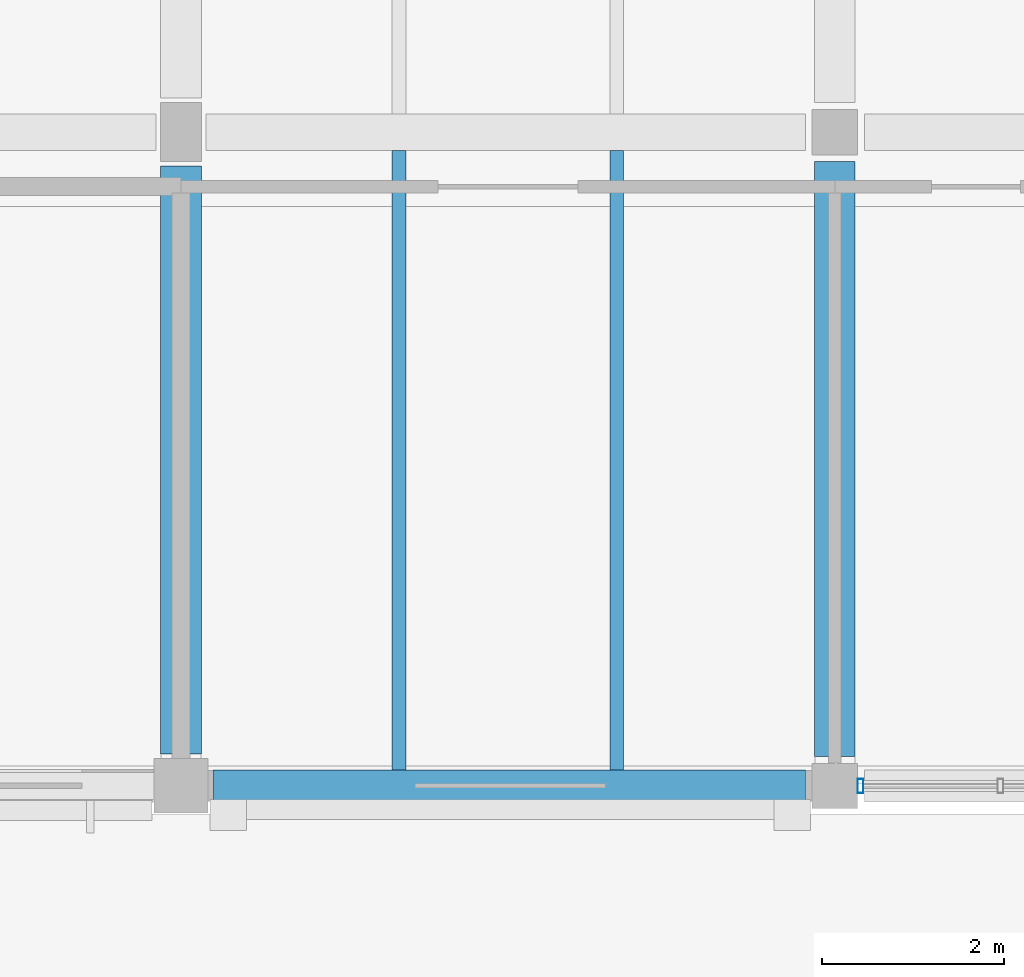
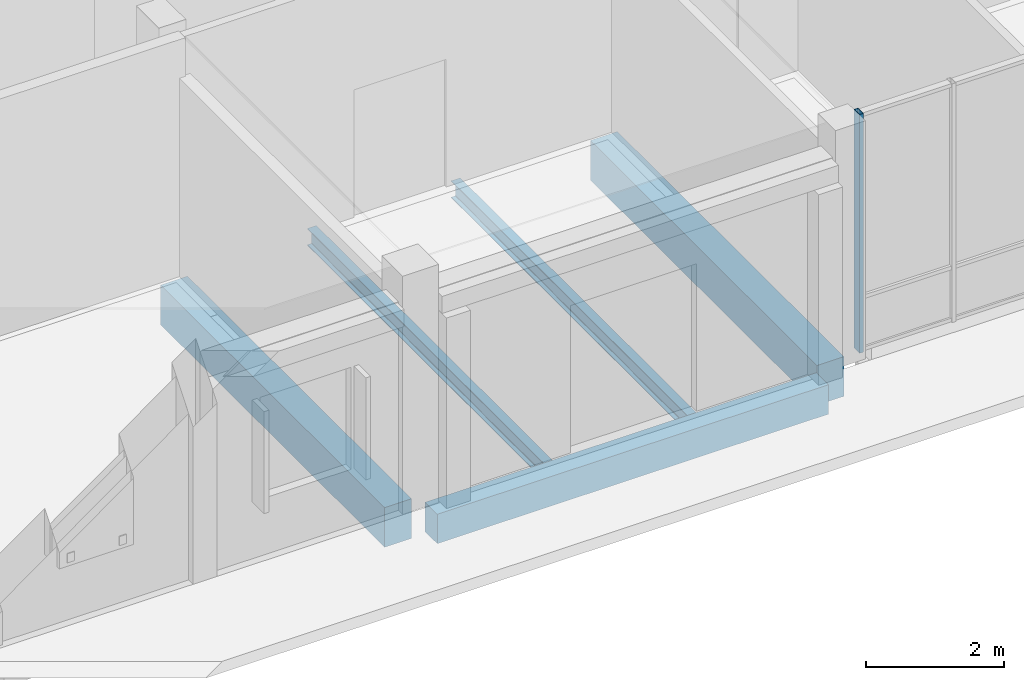
# One storey, part 10 of 104: 5 beams, 1 member, 1 element without a shape of its own.
"""IFC4 building model written with IfcOpenShell, lengths in metres."""

from ifc_helpers import new_model, si_unit, direction, frame, origin, origin_2d, place, context, subcontext, project, spatial, rectangle, hollow_rectangle, i_section, extrude, material, material_profile, profile_set, type_object, element, aggregate, save


model = new_model("IFC4")

# Units and contexts
model_context = context("Model", 3, precision=1e-05, world=origin(), true_north=direction((0.0, 1.0)))
body_context = subcontext(model_context, "Body", "Model", "MODEL_VIEW")
ifc_project = project(units=[si_unit("LENGTHUNIT", "METRE"), si_unit("AREAUNIT", "SQUARE_METRE"), si_unit("VOLUMEUNIT", "CUBIC_METRE"), si_unit("PLANEANGLEUNIT", "RADIAN"), si_unit("MASSUNIT", "GRAM", prefix="KILO")], contexts=[model_context])

# Site, building, storey
site_placement = place(None, origin())
site = spatial("IfcSite", under=ifc_project, at=site_placement, CompositionType="ELEMENT")
building_placement = place(site_placement, origin())
building = spatial("IfcBuilding", under=site, at=building_placement, Name="Hawrajan Terrace Health Centre", CompositionType="ELEMENT")
storey_placement = place(building_placement, origin())
storey = spatial("IfcBuildingStorey", under=building, at=storey_placement, Name="L00", CompositionType="ELEMENT", Elevation=0.0)

# Curtain wall, member
ifc_material_1 = material(Name="Anodized bronze aluminium and low-E solar glazing", Category="aluminium")
curtain_wall_type = type_object("IfcCurtainWallType", Name="CW_CourtNS_SeriesC3", PredefinedType="USERDEFINED", material=ifc_material_1)
curtain_wall_placement = place(storey_placement, origin())
curtain_wall = element("IfcCurtainWall", 1, at=curtain_wall_placement, inside=storey, type_object=curtain_wall_type, Name="Curtain wall CW-L00-009", ObjectType="UNITISED CURTAIN WALL", PredefinedType="USERDEFINED")
ifc_material_2 = material(Name="Anodized bronze aluminium 6063-T6", Category="aluminium")
ifc_material_profile_1 = material_profile(ifc_material_2, hollow_rectangle(XDim=0.06494140625, YDim=0.159912109375, WallThickness=0.00390625, at=origin_2d()), Name="CW MUL 65x160")
ifc_profile_set_1 = profile_set([ifc_material_profile_1], Name="Anodized bronze aluminium 6063-T6")
member_type = type_object("IfcMemberType", Name="CWMullion_65x160", PredefinedType="MULLION", material=ifc_profile_set_1)
member_placement = place(storey_placement, frame((33.6826171875, 4.199951171875, -0.0048828125), z_axis=(0.0, 0.0, 1.0), x_axis=(1.0, 0.0, 0.0)))
member = element("IfcMember", 2, at=member_placement, type_object=member_type, Name="Mullion CW-L00-009-M1", PredefinedType="MULLION", context=body_context, shape_type="SweptSolid", body=[
    extrude(hollow_rectangle(XDim=0.06494140625, YDim=0.159912109375, WallThickness=0.00390625, at=origin_2d()), origin(), (0.0, 0.0, 1.0), 4.2099609375),
])
aggregate(curtain_wall, [member])

# Beams
ifc_material_3 = material(Name="Concrete C40/50", Category="concrete")
ifc_material_profile_2 = material_profile(ifc_material_3, rectangle(XDim=0.449951171875, YDim=0.699951171875, at=origin_2d()), Name="RC BM 450x700")
ifc_profile_set_2 = profile_set([ifc_material_profile_2], Name="Concrete C40/50")
beam_type_1 = type_object("IfcBeamType", Name="RCGirder_450x700", PredefinedType="BEAM", material=ifc_profile_set_2)
beam_1_placement = place(storey_placement, frame((26.199951171875, 4.550048828125, -0.64990234375), z_axis=(0.0, 1.0, 0.0), x_axis=(-1.0, 0.0, 0.0)))
element("IfcBeam", 3, at=beam_1_placement, inside=storey, type_object=beam_type_1, Name="Beam BM-Y-L00-W-X04-1", PredefinedType="BEAM", context=body_context, shape_type="SweptSolid", body=[
    extrude(rectangle(XDim=0.449951171875, YDim=0.699951171875, at=origin_2d()), origin(), (0.0, 0.0, 1.0), 6.474853515625),
])
beam_2_placement = place(storey_placement, frame((33.39990234375, 4.52490234375, -0.64990234375), z_axis=(0.0, 1.0, 0.0), x_axis=(-1.0, 0.0, 0.0)))
element("IfcBeam", 4, at=beam_2_placement, inside=storey, type_object=beam_type_1, Name="Beam BM-Y-L00-W-X05-1", PredefinedType="BEAM", context=body_context, shape_type="SweptSolid", body=[
    extrude(rectangle(XDim=0.449951171875, YDim=0.699951171875, at=origin_2d()), origin(), (0.0, 0.0, 1.0), 6.550048828125),
])
ifc_material_profile_3 = material_profile(ifc_material_3, rectangle(XDim=0.35009765625, YDim=0.52001953125, at=origin_2d()), Name="RC SP 350x520")
ifc_profile_set_3 = profile_set([ifc_material_profile_3], Name="Concrete C40/50")
beam_type_2 = type_object("IfcBeamType", Name="RCSpandrel_350x520", PredefinedType="SPANDREL", material=ifc_profile_set_3)
beam_3_placement = place(storey_placement, frame((26.550048828125, 4.199951171875, -0.56005859375), z_axis=(1.0, 0.0, 0.0), x_axis=(0.0, 1.0, 0.0)))
element("IfcBeam", 5, at=beam_3_placement, inside=storey, type_object=beam_type_2, Name="Beam BM-X-L00-W-04-Y1", PredefinedType="SPANDREL", context=body_context, shape_type="SweptSolid", body=[
    extrude(rectangle(XDim=0.35009765625, YDim=0.52001953125, at=origin_2d()), origin(), (0.0, 0.0, 1.0), 6.52490234375),
])
ifc_material_4 = material(Name="Steel S355", Category="steel")
ifc_material_profile_4 = material_profile(ifc_material_4, i_section(OverallWidth=0.14990234375, OverallDepth=0.300048828125, WebThickness=0.007080078125, FlangeThickness=0.0107421875, FilletRadius=0.014892578125, at=origin_2d()), Name="IPE 300")
ifc_profile_set_4 = profile_set([ifc_material_profile_4], Name="Steel S355")
beam_type_3 = type_object("IfcBeamType", Name="SteelBeam_IPE300", PredefinedType="JOIST", material=ifc_profile_set_4)
for number, where, z_axis, x_axis, name in (
    (6, (28.60009765625, 4.375, -0.449951171875), (0.0, 1.0, 0.0), (-1.0, 0.0, 0.0), "Secondary joist JST-L00-W-04-1-1"),
    (7, (31.0, 4.375, -0.449951171875), (0.0, 1.0, 0.0), (-1.0, 0.0, 0.0), "Secondary joist JST-L00-W-04-1-2"),
):
    element("IfcBeam", number, at=place(storey_placement, frame(where, z_axis=z_axis, x_axis=x_axis)), inside=storey, type_object=beam_type_3, Name=name, PredefinedType="JOIST", context=body_context, shape_type="SweptSolid", body=[
        extrude(i_section(OverallWidth=0.14990234375, OverallDepth=0.300048828125, WebThickness=0.007080078125, FlangeThickness=0.0107421875, FilletRadius=0.014892578125, at=origin_2d()), origin(), (0.0, 0.0, 1.0), 6.824951171875),
    ])

save(model, "model.ifc")
